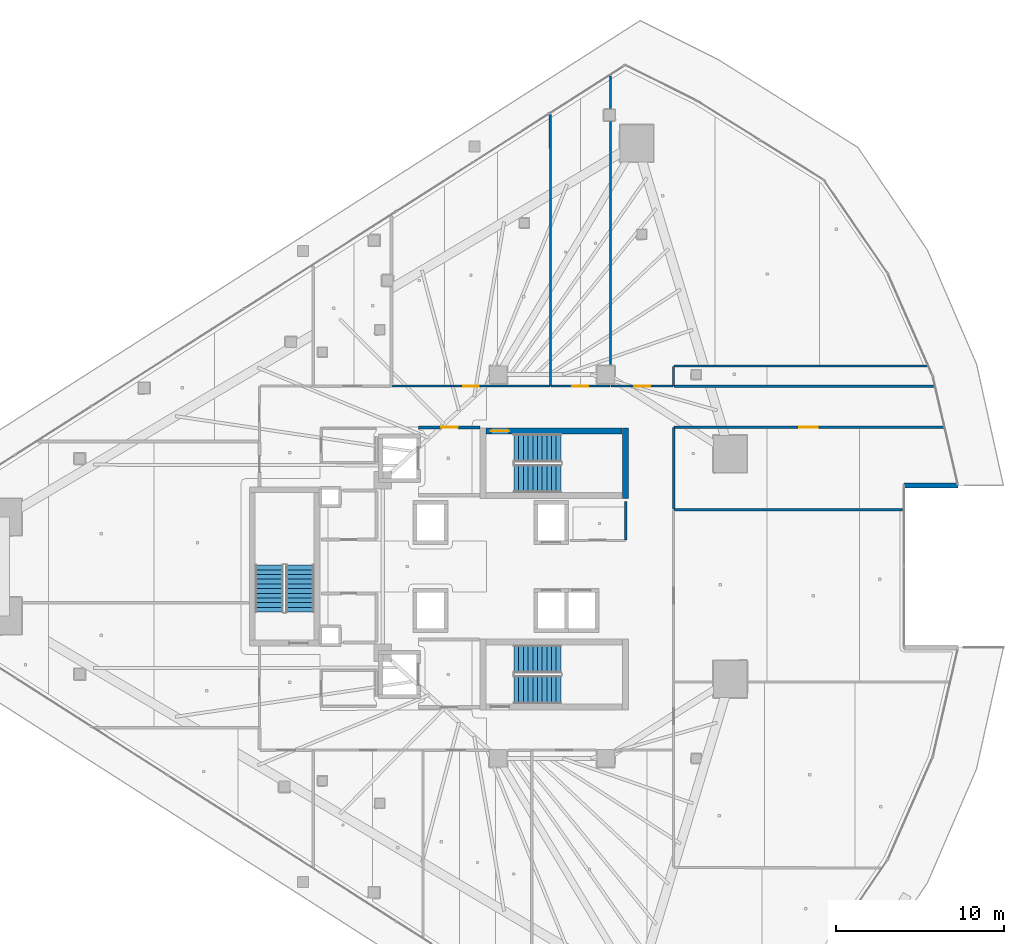
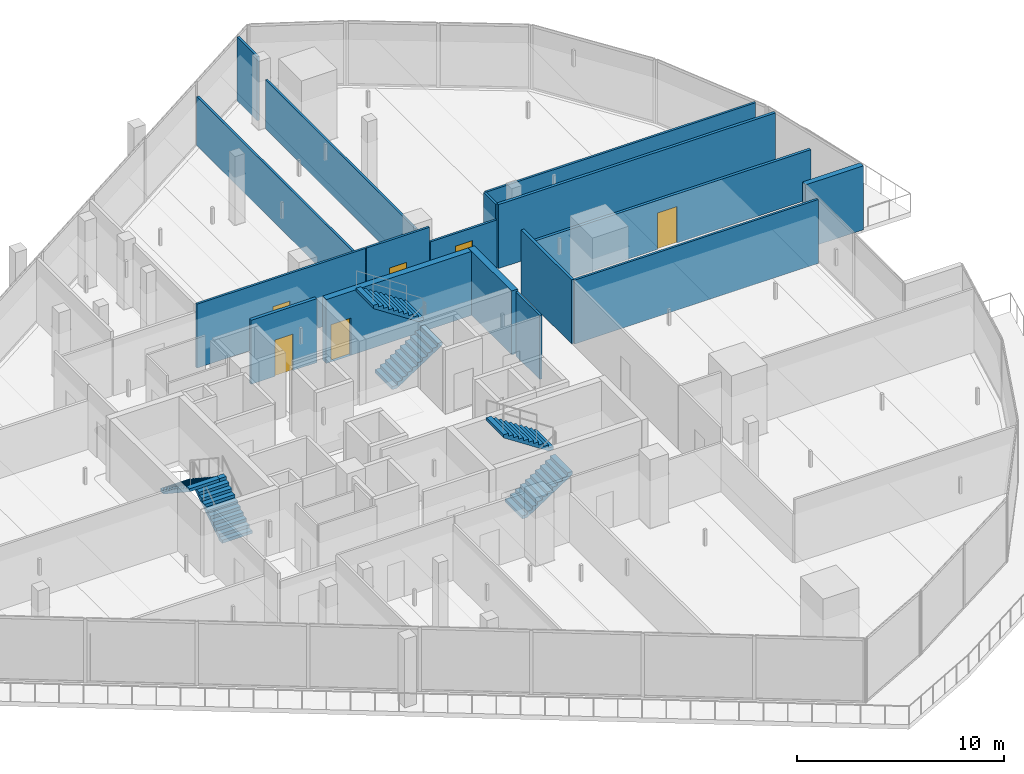
# One storey, part 26 of 38: 17 walls, 6 doors, 6 stair flights, 6 openings, 3 elements without a shape of their own.
"""IFC4 building model written with IfcOpenShell, lengths in metres."""

from ifc_helpers import new_model, si_unit, direction, frame, frame_2d, origin, place, context, subcontext, project, spatial, polyline, rectangle, outline, extrude, material, layer, layer_set, type_object, element, fill, aggregate, save


model = new_model("IFC4")

# Units and contexts
model_context = context("Model", 3, precision=1e-05, world=origin(), true_north=direction((0.0, 1.0)))
body_context = subcontext(model_context, "Body", "Model", "MODEL_VIEW")
ifc_project = project(units=[si_unit("LENGTHUNIT", "METRE"), si_unit("AREAUNIT", "SQUARE_METRE"), si_unit("VOLUMEUNIT", "CUBIC_METRE"), si_unit("PLANEANGLEUNIT", "RADIAN"), si_unit("MASSUNIT", "GRAM", prefix="KILO")], contexts=[model_context])

# Site, building, storey
site_placement = place(None, origin())
site = spatial("IfcSite", under=ifc_project, at=site_placement, CompositionType="ELEMENT")
building_placement = place(site_placement, origin())
building = spatial("IfcBuilding", under=site, at=building_placement, Name="Qorvath Tower", CompositionType="ELEMENT")
storey_placement = place(building_placement, frame((0.0, 0.0, 146.25)))
storey = spatial("IfcBuildingStorey", under=building, at=storey_placement, Name="L33", CompositionType="ELEMENT", Elevation=146.25)

# Wall, opening, door
ifc_material_1 = material(Name="Gypsum shaftliner on steel studs", Category="steel")
ifc_layer_1 = layer(ifc_material_1, 0.179931640625)
ifc_layer_set_1 = layer_set([ifc_layer_1], Name="FW-LOBBY")
wall_type_1 = type_object("IfcWallType", Name="FW-LOBBY", PredefinedType="PARTITIONING", material=ifc_layer_set_1)
wall_1_placement = place(storey_placement, frame((-24.68408203125, 8.300048828125, 0.0), z_axis=(0.0, 0.0, 1.0), x_axis=(-1.0, 0.0, 0.0)))
wall_1 = element("IfcWall", 1, at=wall_1_placement, inside=storey, type_object=wall_type_1, Name="Interior Partition IW-T1-L33-002", PredefinedType="PARTITIONING", context=body_context, shape_type="SweptSolid", body=[
    extrude(rectangle(XDim=3.6708984375, YDim=0.179931640625, at=frame_2d((1.83544921875, 0.0))), origin(), (0.0, 0.0, 1.0), 3.780029296875),
])
opening_1_placement = place(wall_1_placement, frame((1.33544921875, 0.0, 0.0)))
opening_1 = element("IfcOpeningElement", 2, at=opening_1_placement, cuts=wall_1, Name="Opening D-T1-L33-20", PredefinedType="OPENING", context=body_context, shape_type="SweptSolid", body=[
    extrude(rectangle(XDim=1.0, YDim=2.14990234375, at=frame_2d((0.5, 1.074951171875))), frame((0.0, 0.10009765625, 0.0), z_axis=(0.0, -1.0, 0.0), x_axis=(1.0, 0.0, 0.0)), (0.0, 0.0, 1.0), 0.199951171875),
])
ifc_material_2 = material(Name="Painted galvanised hollow metal", Category="steel")
door_type_1 = type_object("IfcDoorType", Name="FD-60", OperationType="NOTDEFINED", PredefinedType="DOOR", material=ifc_material_2)
door_1_placement = place(opening_1_placement, origin())
door_1 = element("IfcDoor", 3, at=door_1_placement, inside=storey, type_object=door_type_1, Name="Lobby Fire Service Elevator North Door D-T1-L33-20", OperationType="SINGLE_SWING_RIGHT", OverallHeight=2.14990234375, OverallWidth=1.0, PredefinedType="DOOR", context=body_context, shape_type="SweptSolid", body=[
    extrude(rectangle(XDim=1.0, YDim=2.14990234375, at=frame_2d((0.5, 1.074951171875))), frame((0.0, 0.02490234375, 0.0), z_axis=(0.0, -1.0, 0.0), x_axis=(1.0, 0.0, 0.0)), (0.0, 0.0, 1.0), 0.050048828125),
])
fill(opening_1, door_1)

# Wall
ifc_material_3 = material(Name="Double acoustic gypsum board on steel studs", Category="steel")
ifc_layer_2 = layer(ifc_material_3, 0.159912109375)
ifc_layer_set_2 = layer_set([ifc_layer_2], Name="IW-ACOUSTIC-160")
wall_type_2 = type_object("IfcWallType", Name="IW-ACOUSTIC-160", PredefinedType="PARTITIONING", material=ifc_layer_set_2)
wall_2_placement = place(storey_placement, frame((2.376708984375, 10.758056640625, 0.0), z_axis=(0.0, 0.0, 1.0), x_axis=(-1.0, 0.0, 0.0)))
element("IfcWall", 4, at=wall_2_placement, inside=storey, type_object=wall_type_2, Name="Interior Partition IW-T1-L33-048", PredefinedType="PARTITIONING", context=body_context, shape_type="SweptSolid", body=[
    extrude(rectangle(XDim=15.493896484375, YDim=0.159912109375, at=frame_2d((7.7470703125, 0.0))), origin(), (0.0, 0.0, 1.0), 3.780029296875),
])

# Wall, opening, door
wall_3_placement = place(storey_placement, frame((2.943115234375, 8.31201171875, 0.0), z_axis=(0.0, 0.0, 1.0), x_axis=(-1.0, 0.0, 0.0)))
wall_3 = element("IfcWall", 5, at=wall_3_placement, inside=storey, type_object=wall_type_2, Name="Interior Partition IW-T1-L33-049", PredefinedType="PARTITIONING", context=body_context, shape_type="SweptSolid", body=[
    extrude(rectangle(XDim=16.060302734375, YDim=0.159912109375, at=frame_2d((8.0302734375, 0.0))), origin(), (0.0, 0.0, 1.0), 2.89501953125),
])
opening_2_placement = place(wall_3_placement, frame((7.480224609375, 0.0, 0.0)))
opening_2 = element("IfcOpeningElement", 6, at=opening_2_placement, cuts=wall_3, Name="Opening D-T1-L33-15", PredefinedType="OPENING", context=body_context, shape_type="SweptSolid", body=[
    extrude(rectangle(XDim=1.10009765625, YDim=2.14990234375, at=frame_2d((0.550048828125, 1.074951171875))), frame((0.0, 0.08984375, 0.0), z_axis=(0.0, -1.0, 0.0), x_axis=(1.0, 0.0, 0.0)), (0.0, 0.0, 1.0), 0.179931640625),
])
ifc_material_4 = material(Name="Anodised aluminium acoustic framed glass", Category="aluminium")
door_type_2 = type_object("IfcDoorType", Name="D-03", OperationType="NOTDEFINED", PredefinedType="DOOR", material=ifc_material_4)
door_2_placement = place(opening_2_placement, origin())
door_2 = element("IfcDoor", 7, at=door_2_placement, inside=storey, type_object=door_type_2, Name="L33-10 Enclosed Conference Suite Door D-T1-L33-15", OperationType="SINGLE_SWING_LEFT", OverallHeight=2.14990234375, OverallWidth=1.10009765625, PredefinedType="DOOR", context=body_context, shape_type="SweptSolid", body=[
    extrude(rectangle(XDim=1.10009765625, YDim=2.14990234375, at=frame_2d((0.550048828125, 1.074951171875))), frame((0.0, 0.02490234375, 0.0), z_axis=(0.0, -1.0, 0.0), x_axis=(1.0, 0.0, 0.0)), (0.0, 0.0, 1.0), 0.050048828125),
])
fill(opening_2, door_2)

# Walls
wall_4_placement = place(storey_placement, frame((-13.14208984375, 8.287109375, 0.0), z_axis=(0.0, 0.0, 1.0), x_axis=(0.0, -1.0, 0.0)))
element("IfcWall", 8, at=wall_4_placement, inside=storey, type_object=wall_type_2, Name="Interior Partition IW-T1-L33-050", PredefinedType="PARTITIONING", context=body_context, shape_type="SweptSolid", body=[
    extrude(rectangle(XDim=4.87109375, YDim=0.159912109375, at=frame_2d((2.435546875, 0.0))), origin(), (0.0, 0.0, 1.0), 3.780029296875),
])
ifc_material_5 = material(Name="Gypsum board on metal studs with mineral wool", Category="gypsum")
ifc_layer_3 = layer(ifc_material_5, 0.125)
ifc_layer_set_3 = layer_set([ifc_layer_3], Name="IW-PART-125")
wall_type_3 = type_object("IfcWallType", Name="IW-PART-125", PredefinedType="PARTITIONING", material=ifc_layer_set_3)
wall_5_placement = place(storey_placement, frame((-16.0, 1.585205078125, 0.0), z_axis=(0.0, 0.0, 1.0), x_axis=(0.0, 1.0, 0.0)))
element("IfcWall", 9, at=wall_5_placement, inside=storey, type_object=wall_type_3, Name="Interior Partition IW-T1-L33-014", PredefinedType="PARTITIONING", context=body_context, shape_type="SweptSolid", body=[
    extrude(rectangle(XDim=2.30224609375, YDim=0.125, at=frame_2d((1.151123046875, 0.0))), origin(), (0.0, 0.0, 1.0), 3.780029296875),
])

# Wall, opening, door
wall_6_placement = place(storey_placement, frame((-29.94580078125, 10.758056640625, 0.0), z_axis=(0.0, 0.0, 1.0), x_axis=(1.0, 0.0, 0.0)))
wall_6 = element("IfcWall", 10, at=wall_6_placement, inside=storey, type_object=wall_type_3, Name="Interior Partition IW-T1-L33-025", PredefinedType="PARTITIONING", context=body_context, shape_type="SweptSolid", body=[
    extrude(rectangle(XDim=9.42138671875, YDim=0.125, at=frame_2d((4.710693359375, 0.0))), origin(), (0.0, 0.0, 1.0), 3.780029296875),
])
opening_3_placement = place(wall_6_placement, frame((4.235595703125, 0.0, 0.0)))
opening_3 = element("IfcOpeningElement", 11, at=opening_3_placement, cuts=wall_6, Name="Opening D-T1-L33-07", PredefinedType="OPENING", context=body_context, shape_type="SweptSolid", body=[
    extrude(rectangle(XDim=0.949951171875, YDim=2.14990234375, at=frame_2d((0.47509765625, 1.074951171875))), frame((0.0, 0.072509765625, 0.0), z_axis=(0.0, -1.0, 0.0), x_axis=(1.0, 0.0, 0.0)), (0.0, 0.0, 1.0), 0.14501953125),
])
ifc_material_6 = material(Name="Solid-core American white oak veneer", Category="wood")
door_type_3 = type_object("IfcDoorType", Name="D-01", OperationType="NOTDEFINED", PredefinedType="DOOR", material=ifc_material_6)
door_3_placement = place(opening_3_placement, origin())
door_3 = element("IfcDoor", 12, at=door_3_placement, inside=storey, type_object=door_type_3, Name="L33-02 Project Collaboration Workspace Door D-T1-L33-07", OperationType="SINGLE_SWING_LEFT", OverallHeight=2.14990234375, OverallWidth=0.949951171875, PredefinedType="DOOR", context=body_context, shape_type="SweptSolid", body=[
    extrude(rectangle(XDim=0.949951171875, YDim=2.14990234375, at=frame_2d((0.47509765625, 1.074951171875))), frame((0.0, 0.02490234375, 0.0), z_axis=(0.0, -1.0, 0.0), x_axis=(1.0, 0.0, 0.0)), (0.0, 0.0, 1.0), 0.050048828125),
])
fill(opening_3, door_3)

# Wall
wall_7_placement = place(storey_placement, frame((-20.499267578125, 10.783203125, 0.0), z_axis=(0.0, 0.0, 1.0), x_axis=(-0.000346792899, 0.999999939867, 0.0)))
element("IfcWall", 13, at=wall_7_placement, inside=storey, type_object=wall_type_3, Name="Interior Partition IW-T1-L33-026", PredefinedType="PARTITIONING", context=body_context, shape_type="SweptSolid", body=[
    extrude(rectangle(XDim=16.19189453125, YDim=0.125, at=frame_2d((8.095947265625, 0.0))), origin(), (0.0, 0.0, 1.0), 2.89501953125),
])

# Wall, opening, door
wall_8_placement = place(storey_placement, frame((-20.46630859375, 10.758056640625, 0.0), z_axis=(0.0, 0.0, 1.0), x_axis=(1.0, 0.0, 0.0)))
wall_8 = element("IfcWall", 14, at=wall_8_placement, inside=storey, type_object=wall_type_3, Name="Interior Partition IW-T1-L33-027", PredefinedType="PARTITIONING", context=body_context, shape_type="SweptSolid", body=[
    extrude(rectangle(XDim=3.522705078125, YDim=0.125, at=frame_2d((1.76123046875, 0.0))), origin(), (0.0, 0.0, 1.0), 3.780029296875),
])
opening_4_placement = place(wall_8_placement, frame((1.286376953125, 0.0, 0.0)))
opening_4 = element("IfcOpeningElement", 15, at=opening_4_placement, cuts=wall_8, Name="Opening D-T1-L33-08", PredefinedType="OPENING", context=body_context, shape_type="SweptSolid", body=[
    extrude(rectangle(XDim=0.949951171875, YDim=2.14990234375, at=frame_2d((0.47509765625, 1.074951171875))), frame((0.0, 0.072509765625, 0.0), z_axis=(0.0, -1.0, 0.0), x_axis=(1.0, 0.0, 0.0)), (0.0, 0.0, 1.0), 0.14501953125),
])
door_4_placement = place(opening_4_placement, origin())
door_4 = element("IfcDoor", 16, at=door_4_placement, inside=storey, type_object=door_type_3, Name="L33-03 Design Pin-Up Atelier Door D-T1-L33-08", OperationType="SINGLE_SWING_RIGHT", OverallHeight=2.14990234375, OverallWidth=0.949951171875, PredefinedType="DOOR", context=body_context, shape_type="SweptSolid", body=[
    extrude(rectangle(XDim=0.949951171875, YDim=2.14990234375, at=frame_2d((0.47509765625, 1.074951171875))), frame((0.0, 0.02490234375, 0.0), z_axis=(0.0, -1.0, 0.0), x_axis=(1.0, 0.0, 0.0)), (0.0, 0.0, 1.0), 0.050048828125),
])
fill(opening_4, door_4)

# Walls
wall_9_placement = place(storey_placement, frame((-16.918701171875, 12.0400390625, 0.0), z_axis=(0.0, 0.0, 1.0), x_axis=(0.0, 1.0, 0.0)))
element("IfcWall", 17, at=wall_9_placement, inside=storey, type_object=wall_type_3, Name="Interior Partition IW-T1-L33-028", PredefinedType="PARTITIONING", context=body_context, shape_type="SweptSolid", body=[
    extrude(rectangle(XDim=14.499267578125, YDim=0.125, at=frame_2d((7.24951171875, 0.0))), origin(), (0.0, 0.0, 1.0), 2.89501953125),
])
wall_10_placement = place(storey_placement, frame((-16.918701171875, 27.319091796875, 0.0), z_axis=(0.0, 0.0, 1.0), x_axis=(0.0, 1.0, 0.0)))
element("IfcWall", 18, at=wall_10_placement, inside=storey, type_object=wall_type_3, Name="Interior Partition IW-T1-L33-029", PredefinedType="PARTITIONING", context=body_context, shape_type="SweptSolid", body=[
    extrude(rectangle(XDim=1.947998046875, YDim=0.125, at=frame_2d((0.97412109375, 0.0))), origin(), (0.0, 0.0, 1.0), 3.780029296875),
])

# Wall, opening, door
wall_11_placement = place(storey_placement, frame((-16.885498046875, 10.758056640625, 0.0), z_axis=(0.0, 0.0, 1.0), x_axis=(1.0, 0.0, 0.0)))
wall_11 = element("IfcWall", 19, at=wall_11_placement, inside=storey, type_object=wall_type_3, Name="Interior Partition IW-T1-L33-030", PredefinedType="PARTITIONING", context=body_context, shape_type="SweptSolid", body=[
    extrude(rectangle(XDim=3.710693359375, YDim=0.125, at=frame_2d((1.85546875, 0.0))), origin(), (0.0, 0.0, 1.0), 2.89501953125),
])
opening_5_placement = place(wall_11_placement, frame((1.38037109375, 0.0, 0.0)))
opening_5 = element("IfcOpeningElement", 20, at=opening_5_placement, cuts=wall_11, Name="Opening D-T1-L33-09", PredefinedType="OPENING", context=body_context, shape_type="SweptSolid", body=[
    extrude(rectangle(XDim=0.949951171875, YDim=2.14990234375, at=frame_2d((0.47509765625, 1.074951171875))), frame((0.0, 0.072509765625, 0.0), z_axis=(0.0, -1.0, 0.0), x_axis=(1.0, 0.0, 0.0)), (0.0, 0.0, 1.0), 0.14501953125),
])
door_5_placement = place(opening_5_placement, origin())
door_5 = element("IfcDoor", 21, at=door_5_placement, inside=storey, type_object=door_type_3, Name="L33-04 Executive Partner Office Door D-T1-L33-09", OperationType="SINGLE_SWING_LEFT", OverallHeight=2.14990234375, OverallWidth=0.949951171875, PredefinedType="DOOR", context=body_context, shape_type="SweptSolid", body=[
    extrude(rectangle(XDim=0.949951171875, YDim=2.14990234375, at=frame_2d((0.47509765625, 1.074951171875))), frame((0.0, 0.02490234375, 0.0), z_axis=(0.0, -1.0, 0.0), x_axis=(1.0, 0.0, 0.0)), (0.0, 0.0, 1.0), 0.050048828125),
])
fill(opening_5, door_5)

# Walls
wall_12_placement = place(storey_placement, frame((-13.14990234375, 11.92626953125, 0.0), z_axis=(0.0, 0.0, 1.0), x_axis=(0.0, -1.0, 0.0)))
element("IfcWall", 22, at=wall_12_placement, inside=storey, type_object=wall_type_3, Name="Interior Partition IW-T1-L33-031", PredefinedType="PARTITIONING", context=body_context, shape_type="SweptSolid", body=[
    extrude(rectangle(XDim=1.14306640625, YDim=0.125, at=frame_2d((0.571533203125, 0.0))), origin(), (0.0, 0.0, 1.0), 3.780029296875),
])
wall_13_placement = place(storey_placement, frame((-13.125, 11.951171875, 0.0), z_axis=(0.0, 0.0, 1.0), x_axis=(0.999999646529, 0.000840797814, 0.0)))
element("IfcWall", 23, at=wall_13_placement, inside=storey, type_object=wall_type_3, Name="Interior Partition IW-T1-L33-032", PredefinedType="PARTITIONING", context=body_context, shape_type="SweptSolid", body=[
    extrude(rectangle(XDim=15.09912109375, YDim=0.125, at=frame_2d((7.549560546875, 0.0))), origin(), (0.0, 0.0, 1.0), 3.780029296875),
])
wall_14_placement = place(storey_placement, frame((0.521484375, 3.3828125, 0.0), z_axis=(0.0, 0.0, 1.0), x_axis=(-1.0, 0.0, 0.0)))
element("IfcWall", 24, at=wall_14_placement, inside=storey, type_object=wall_type_3, Name="Interior Partition IW-T1-L33-046", PredefinedType="PARTITIONING", context=body_context, shape_type="SweptSolid", body=[
    extrude(rectangle(XDim=13.638671875, YDim=0.125, at=frame_2d((6.8193359375, 0.0))), origin(), (0.0, 0.0, 1.0), 3.780029296875),
])
ifc_material_7 = material(Name="Concrete C60/75", Category="concrete")
ifc_layer_4 = layer(ifc_material_7, 0.35009765625)
ifc_layer_set_4 = layer_set([ifc_layer_4], Name="SW-STAIR")
wall_type_4 = type_object("IfcWallType", Name="SW-STAIR", PredefinedType="SHEAR", material=ifc_layer_set_4)
wall_15_placement = place(storey_placement, frame((-16.02490234375, 4.050048828125, 0.0), z_axis=(0.0, 0.0, 1.0), x_axis=(0.0, 1.0, 0.0)))
element("IfcWall", 25, at=wall_15_placement, inside=storey, type_object=wall_type_4, Name="Stair TS1 Shear Wall L33 FAR", PredefinedType="SHEAR", context=body_context, shape_type="SweptSolid", body=[
    extrude(rectangle(XDim=4.2099609375, YDim=0.35009765625, at=frame_2d((2.10498046875, 0.0))), origin(), (0.0, 0.0, 1.0), 3.780029296875),
])

# Wall, opening, door
wall_16_placement = place(storey_placement, frame((-16.215087890625, 8.0849609375, 0.0), z_axis=(0.0, 0.0, 1.0), x_axis=(-1.0, 0.0, 0.0)))
wall_16 = element("IfcWall", 26, at=wall_16_placement, inside=storey, type_object=wall_type_4, Name="Stair TS1 Shear Wall L33 RIGHT", PredefinedType="SHEAR", context=body_context, shape_type="SweptSolid", body=[
    extrude(rectangle(XDim=8.119873046875, YDim=0.35009765625, at=frame_2d((4.06005859375, 0.0))), origin(), (0.0, 0.0, 1.0), 3.780029296875),
])
opening_6_placement = place(wall_16_placement, frame((6.739990234375, 0.0, 0.0)))
opening_6 = element("IfcOpeningElement", 27, at=opening_6_placement, cuts=wall_16, Name="Opening D-TS1-L33", PredefinedType="OPENING", context=body_context, shape_type="SweptSolid", body=[
    extrude(rectangle(XDim=1.10009765625, YDim=2.199951171875, at=frame_2d((0.550048828125, 1.10009765625))), frame((0.0, 0.18505859375, 0.0), z_axis=(0.0, -1.0, 0.0), x_axis=(1.0, 0.0, 0.0)), (0.0, 0.0, 1.0), 0.3701171875),
])
ifc_material_8 = material(Name="Painted galvanised hollow metal", Category="steel")
door_type_4 = type_object("IfcDoorType", Name="FD-90", OperationType="NOTDEFINED", PredefinedType="DOOR", material=ifc_material_8)
door_6_placement = place(opening_6_placement, origin())
door_6 = element("IfcDoor", 28, at=door_6_placement, inside=storey, type_object=door_type_4, Name="Stair TS1 Fire Door L33", OperationType="SINGLE_SWING_RIGHT", OverallHeight=2.199951171875, OverallWidth=1.10009765625, PredefinedType="DOOR", context=body_context, shape_type="SweptSolid", body=[
    extrude(rectangle(XDim=1.10009765625, YDim=2.199951171875, at=frame_2d((0.550048828125, 1.10009765625))), frame((0.0, 0.02490234375, 0.0), z_axis=(0.0, -1.0, 0.0), x_axis=(1.0, 0.0, 0.0)), (0.0, 0.0, 1.0), 0.050048828125),
])
fill(opening_6, door_6)

# Wall
ifc_material_9 = material(Name="Precast concrete C45/55", Category="concrete")
ifc_layer_5 = layer(ifc_material_9, 0.300048828125)
ifc_layer_set_5 = layer_set([ifc_layer_5], Name="WL-EW-LOG-300")
wall_type_5 = type_object("IfcWallType", Name="WL-EW-LOG-300", PredefinedType="SOLIDWALL", material=ifc_layer_set_5)
wall_17_placement = place(storey_placement, frame((0.6015625, 4.83837890625, 0.0), z_axis=(0.0, 0.0, 1.0), x_axis=(1.0, 0.0, 0.0)))
element("IfcWall", 29, at=wall_17_placement, inside=storey, type_object=wall_type_5, Name="Tower Precast Loggia Wall L33-10.1", PredefinedType="SOLIDWALL", context=body_context, shape_type="SweptSolid", body=[
    extrude(rectangle(XDim=3.2255859375, YDim=0.300048828125, at=frame_2d((1.61279296875, 0.0))), origin(), (0.0, 0.0, 1.0), 3.780029296875),
])

# Stair, stair flights
ifc_material_10 = material(Name="Concrete C50/60", Category="concrete")
stair_type = type_object("IfcStairType", Name="ST-H405", PredefinedType="HALF_TURN_STAIR", material=ifc_material_10)
stair_1_placement = place(storey_placement, origin())
stair_1 = element("IfcStair", 30, at=stair_1_placement, inside=storey, type_object=stair_type, Name="L33 Tower Exit Stair 1", PredefinedType="HALF_TURN_STAIR")
ifc_material_11 = material(Name="Concrete C50/60", Category="concrete")
ifc_layer_6 = layer(ifc_material_11, 0.14990234375)
ifc_layer_set_6 = layer_set([ifc_layer_6], Name="SF-H405")
stair_flight_type = type_object("IfcStairFlightType", Name="SF-H405", PredefinedType="STRAIGHT", material=ifc_layer_set_6)
stair_flight_1_placement = place(storey_placement, frame((-22.669921875, 5.239990234375, 0.0), z_axis=(0.0, 0.0, 1.0), x_axis=(1.0, 0.0, 0.0)))
stair_flight_1 = element("IfcStairFlight", 31, at=stair_flight_1_placement, type_object=stair_flight_type, Name="TS1 flight 1", NumberOfRisers=11, NumberOfTreads=10, PredefinedType="STRAIGHT", RiserHeight=0.184090909, TreadLength=0.28, context=body_context, shape_type="SweptSolid", body=[
    extrude(outline(polyline([(0.0, 0.0), (0.0, 0.18408203125), (0.280029296875, 0.18408203125), (0.280029296875, 0.3681640625), (0.56005859375, 0.3681640625), (0.56005859375, 0.55224609375), (0.840087890625, 0.55224609375), (0.840087890625, 0.736328125), (1.1201171875, 0.736328125), (1.1201171875, 0.92041015625), (1.39990234375, 0.92041015625), (1.39990234375, 1.1044921875), (1.679931640625, 1.1044921875), (1.679931640625, 1.28857421875), (1.9599609375, 1.28857421875), (1.9599609375, 1.47265625), (2.239990234375, 1.47265625), (2.239990234375, 1.65673828125), (2.52001953125, 1.65673828125), (2.52001953125, 1.8408203125), (2.800048828125, 1.8408203125), (2.800048828125, 2.02490234375), (2.800048828125, 1.66162109375), (0.27294921875, 0.0), (0.0, 0.0)])), frame((0.0, 0.83984375, 0.0), z_axis=(0.0, -1.0, 0.0), x_axis=(1.0, 0.0, 0.0)), (0.0, 0.0, 1.0), 1.679931640625),
])
stair_flight_2_placement = place(storey_placement, frame((-19.8701171875, 7.070068359375, 2.02490234375), z_axis=(0.0, 0.0, 1.0), x_axis=(-1.0, 0.0, 0.0)))
stair_flight_2 = element("IfcStairFlight", 32, at=stair_flight_2_placement, type_object=stair_flight_type, Name="TS1 flight 2", NumberOfRisers=11, NumberOfTreads=10, PredefinedType="STRAIGHT", RiserHeight=0.184090909, TreadLength=0.28, context=body_context, shape_type="SweptSolid", body=[
    extrude(outline(polyline([(0.0, 0.0), (0.0, 0.18408203125), (0.280029296875, 0.18408203125), (0.280029296875, 0.3681640625), (0.56005859375, 0.3681640625), (0.56005859375, 0.55224609375), (0.840087890625, 0.55224609375), (0.840087890625, 0.736328125), (1.1201171875, 0.736328125), (1.1201171875, 0.92041015625), (1.39990234375, 0.92041015625), (1.39990234375, 1.1044921875), (1.679931640625, 1.1044921875), (1.679931640625, 1.28857421875), (1.9599609375, 1.28857421875), (1.9599609375, 1.47265625), (2.239990234375, 1.47265625), (2.239990234375, 1.65673828125), (2.52001953125, 1.65673828125), (2.52001953125, 1.8408203125), (2.800048828125, 1.8408203125), (2.800048828125, 2.02490234375), (2.800048828125, 1.66162109375), (0.27294921875, 0.0), (0.0, 0.0)])), frame((0.0, 0.83984375, 0.0), z_axis=(0.0, -1.0, 0.0), x_axis=(1.0, 0.0, 0.0)), (0.0, 0.0, 1.0), 1.679931640625),
])
aggregate(stair_1, [stair_flight_1, stair_flight_2])

stair_2_placement = place(storey_placement, origin())
stair_2 = element("IfcStair", 33, at=stair_2_placement, inside=storey, type_object=stair_type, Name="L33 Tower Exit Stair 2", PredefinedType="HALF_TURN_STAIR")
stair_flight_3_placement = place(storey_placement, frame((-22.669921875, -7.360107421875, 0.0), z_axis=(0.0, 0.0, 1.0), x_axis=(1.0, 0.0, 0.0)))
stair_flight_3 = element("IfcStairFlight", 34, at=stair_flight_3_placement, type_object=stair_flight_type, Name="TS2 flight 1", NumberOfRisers=11, NumberOfTreads=10, PredefinedType="STRAIGHT", RiserHeight=0.184090909, TreadLength=0.28, context=body_context, shape_type="SweptSolid", body=[
    extrude(outline(polyline([(0.0, 0.0), (0.0, 0.18408203125), (0.280029296875, 0.18408203125), (0.280029296875, 0.3681640625), (0.56005859375, 0.3681640625), (0.56005859375, 0.55224609375), (0.840087890625, 0.55224609375), (0.840087890625, 0.736328125), (1.1201171875, 0.736328125), (1.1201171875, 0.92041015625), (1.39990234375, 0.92041015625), (1.39990234375, 1.1044921875), (1.679931640625, 1.1044921875), (1.679931640625, 1.28857421875), (1.9599609375, 1.28857421875), (1.9599609375, 1.47265625), (2.239990234375, 1.47265625), (2.239990234375, 1.65673828125), (2.52001953125, 1.65673828125), (2.52001953125, 1.8408203125), (2.800048828125, 1.8408203125), (2.800048828125, 2.02490234375), (2.800048828125, 1.66162109375), (0.27294921875, 0.0), (0.0, 0.0)])), frame((0.0, 0.83984375, 0.0), z_axis=(0.0, -1.0, 0.0), x_axis=(1.0, 0.0, 0.0)), (0.0, 0.0, 1.0), 1.679931640625),
])
stair_flight_4_placement = place(storey_placement, frame((-19.8701171875, -5.530029296875, 2.02490234375), z_axis=(0.0, 0.0, 1.0), x_axis=(-1.0, 0.0, 0.0)))
stair_flight_4 = element("IfcStairFlight", 35, at=stair_flight_4_placement, type_object=stair_flight_type, Name="TS2 flight 2", NumberOfRisers=11, NumberOfTreads=10, PredefinedType="STRAIGHT", RiserHeight=0.184090909, TreadLength=0.28, context=body_context, shape_type="SweptSolid", body=[
    extrude(outline(polyline([(0.0, 0.0), (0.0, 0.18408203125), (0.280029296875, 0.18408203125), (0.280029296875, 0.3681640625), (0.56005859375, 0.3681640625), (0.56005859375, 0.55224609375), (0.840087890625, 0.55224609375), (0.840087890625, 0.736328125), (1.1201171875, 0.736328125), (1.1201171875, 0.92041015625), (1.39990234375, 0.92041015625), (1.39990234375, 1.1044921875), (1.679931640625, 1.1044921875), (1.679931640625, 1.28857421875), (1.9599609375, 1.28857421875), (1.9599609375, 1.47265625), (2.239990234375, 1.47265625), (2.239990234375, 1.65673828125), (2.52001953125, 1.65673828125), (2.52001953125, 1.8408203125), (2.800048828125, 1.8408203125), (2.800048828125, 2.02490234375), (2.800048828125, 1.66162109375), (0.27294921875, 0.0), (0.0, 0.0)])), frame((0.0, 0.83984375, 0.0), z_axis=(0.0, -1.0, 0.0), x_axis=(1.0, 0.0, 0.0)), (0.0, 0.0, 1.0), 1.679931640625),
])
aggregate(stair_2, [stair_flight_3, stair_flight_4])

stair_3_placement = place(storey_placement, origin())
stair_3 = element("IfcStair", 36, at=stair_3_placement, inside=storey, type_object=stair_type, Name="L33 Tower Exit Stair 3", PredefinedType="HALF_TURN_STAIR")
stair_flight_5_placement = place(storey_placement, frame((-35.43994140625, -2.719970703125, 0.0), z_axis=(0.0, 0.0, 1.0), x_axis=(0.0, 1.0, 0.0)))
stair_flight_5 = element("IfcStairFlight", 37, at=stair_flight_5_placement, type_object=stair_flight_type, Name="TS3 flight 1", NumberOfRisers=11, NumberOfTreads=10, PredefinedType="STRAIGHT", RiserHeight=0.184090909, TreadLength=0.28, context=body_context, shape_type="SweptSolid", body=[
    extrude(outline(polyline([(0.0, 0.0), (0.0, 0.18408203125), (0.280029296875, 0.18408203125), (0.280029296875, 0.3681640625), (0.56005859375, 0.3681640625), (0.56005859375, 0.55224609375), (0.840087890625, 0.55224609375), (0.840087890625, 0.736328125), (1.1201171875, 0.736328125), (1.1201171875, 0.92041015625), (1.39990234375, 0.92041015625), (1.39990234375, 1.1044921875), (1.679931640625, 1.1044921875), (1.679931640625, 1.28857421875), (1.9599609375, 1.28857421875), (1.9599609375, 1.47265625), (2.239990234375, 1.47265625), (2.239990234375, 1.65673828125), (2.52001953125, 1.65673828125), (2.52001953125, 1.8408203125), (2.800048828125, 1.8408203125), (2.800048828125, 2.02490234375), (2.800048828125, 1.66162109375), (0.27294921875, 0.0), (0.0, 0.0)])), frame((0.0, 0.83984375, 0.0), z_axis=(0.0, -1.0, 0.0), x_axis=(1.0, 0.0, 0.0)), (0.0, 0.0, 1.0), 1.679931640625),
])
stair_flight_6_placement = place(storey_placement, frame((-37.27001953125, 0.080078125, 2.02490234375), z_axis=(0.0, 0.0, 1.0), x_axis=(0.0, -1.0, 0.0)))
stair_flight_6 = element("IfcStairFlight", 38, at=stair_flight_6_placement, type_object=stair_flight_type, Name="TS3 flight 2", NumberOfRisers=11, NumberOfTreads=10, PredefinedType="STRAIGHT", RiserHeight=0.184090909, TreadLength=0.28, context=body_context, shape_type="SweptSolid", body=[
    extrude(outline(polyline([(0.0, 0.0), (0.0, 0.18408203125), (0.280029296875, 0.18408203125), (0.280029296875, 0.3681640625), (0.56005859375, 0.3681640625), (0.56005859375, 0.55224609375), (0.840087890625, 0.55224609375), (0.840087890625, 0.736328125), (1.1201171875, 0.736328125), (1.1201171875, 0.92041015625), (1.39990234375, 0.92041015625), (1.39990234375, 1.1044921875), (1.679931640625, 1.1044921875), (1.679931640625, 1.28857421875), (1.9599609375, 1.28857421875), (1.9599609375, 1.47265625), (2.239990234375, 1.47265625), (2.239990234375, 1.65673828125), (2.52001953125, 1.65673828125), (2.52001953125, 1.8408203125), (2.800048828125, 1.8408203125), (2.800048828125, 2.02490234375), (2.800048828125, 1.66162109375), (0.27294921875, 0.0), (0.0, 0.0)])), frame((0.0, 0.83984375, 0.0), z_axis=(0.0, -1.0, 0.0), x_axis=(1.0, 0.0, 0.0)), (0.0, 0.0, 1.0), 1.679931640625),
])
aggregate(stair_3, [stair_flight_5, stair_flight_6])

save(model, "model.ifc")
